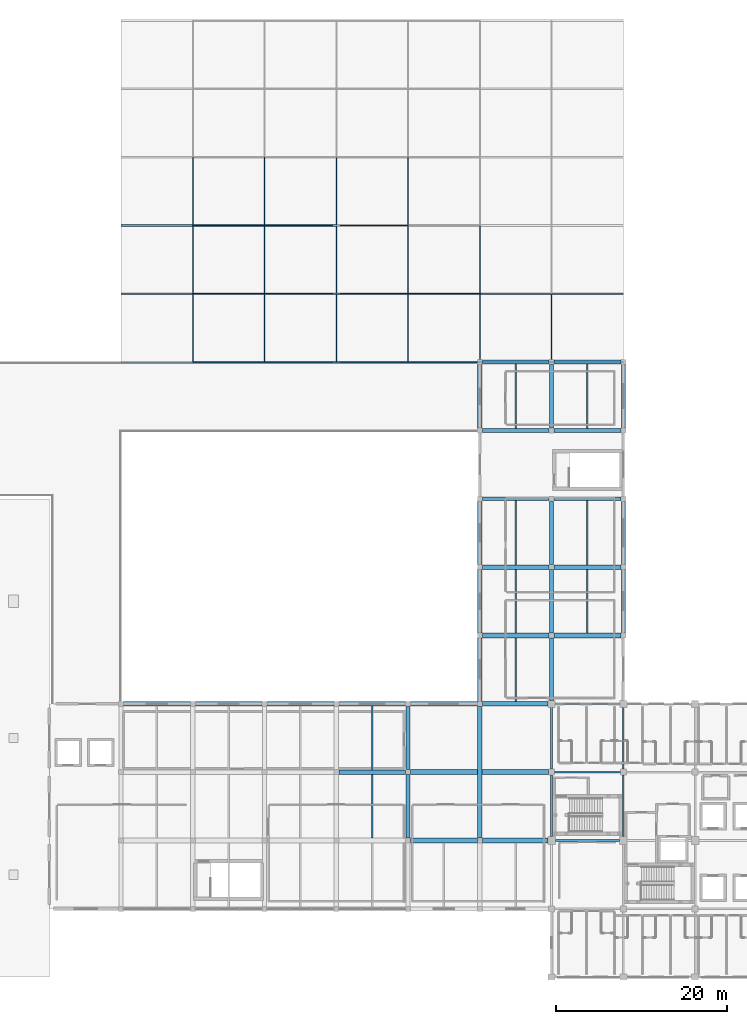
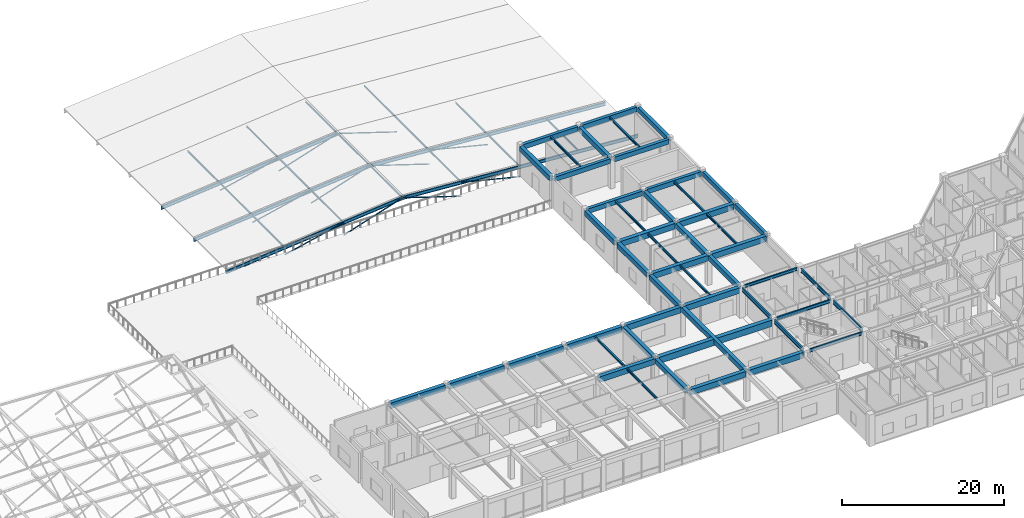
# One storey, part 12 of 37: 50 beams, 31 members.
"""IFC4 building model written with IfcOpenShell, lengths in metres."""

from ifc_helpers import new_model, si_unit, direction, frame, origin, origin_2d, place, context, subcontext, project, spatial, rectangle, hollow_circle, i_section, extrude, material, material_profile, profile_set, type_object, element, save


model = new_model("IFC4")

# Units and contexts
model_context = context("Model", 3, precision=1e-05, world=origin(), true_north=direction((0.0, 1.0)))
body_context = subcontext(model_context, "Body", "Model", "MODEL_VIEW")
ifc_project = project(units=[si_unit("LENGTHUNIT", "METRE"), si_unit("AREAUNIT", "SQUARE_METRE"), si_unit("VOLUMEUNIT", "CUBIC_METRE"), si_unit("PLANEANGLEUNIT", "RADIAN"), si_unit("MASSUNIT", "GRAM", prefix="KILO")], contexts=[model_context])

# Site, building, storey
site_placement = place(None, origin())
site = spatial("IfcSite", under=ifc_project, at=site_placement, CompositionType="ELEMENT")
building_placement = place(site_placement, origin())
building = spatial("IfcBuilding", under=site, at=building_placement, Name="Naruveol Harbour Congress Hotel", CompositionType="ELEMENT")
storey_placement = place(building_placement, frame((0.0, 0.0, 16.199951171875)))
storey = spatial("IfcBuildingStorey", under=building, at=storey_placement, Name="L03", CompositionType="ELEMENT", Elevation=16.199951171875)

# Beams
ifc_material_1 = material(Name="Concrete C40/50", Category="concrete")
ifc_material_profile_1 = material_profile(ifc_material_1, rectangle(XDim=0.5, YDim=0.75, at=origin_2d()), Name="RCB-500x750")
ifc_profile_set_1 = profile_set([ifc_material_profile_1], Name="Concrete C40/50")
beam_type_1 = type_object("IfcBeamType", Name="RC FLOOR GIRDER 500X750", PredefinedType="BEAM", material=ifc_profile_set_1)
for number, where, z_axis, x_axis, name in (
    (1, (100.800048828125, 16.2958984375, 4.1650390625), (0.0, 1.0, 0.0), (-1.0, 0.0, 0.0), "Transverse girder L04 CB3"),
    (2, (100.800048828125, 24.2958984375, 4.1650390625), (0.0, 1.0, 0.0), (-1.0, 0.0, 0.0), "Transverse girder L04 CB3"),
):
    element("IfcBeam", number, at=place(storey_placement, frame(where, z_axis=z_axis, x_axis=x_axis)), inside=storey, type_object=beam_type_1, Name=name, PredefinedType="BEAM", context=body_context, shape_type="SweptSolid", body=[
        extrude(rectangle(XDim=0.5, YDim=0.75, at=origin_2d()), origin(), (0.0, 0.0, 1.0), 7.408203125),
    ])
beam_1_placement = place(storey_placement, frame((109.199951171875, 16.2958984375, 4.1650390625), z_axis=(0.0, 1.0, 0.0), x_axis=(-1.0, 0.0, 0.0)))
element("IfcBeam", 3, at=beam_1_placement, inside=storey, type_object=beam_type_1, Name="Transverse girder L04 CB3", PredefinedType="BEAM", context=body_context, shape_type="SweptSolid", body=[
    extrude(rectangle(XDim=0.5, YDim=0.75, at=origin_2d()), origin(), (0.0, 0.0, 1.0), 15.408203125),
])
for number, where, z_axis, x_axis, name in (
    (4, (109.199951171875, 32.2958984375, 4.1650390625), (0.0, 1.0, 0.0), (-1.0, 0.0, 0.0), "Transverse girder L04 CB3"),
    (5, (109.199951171875, 40.2958984375, 4.1650390625), (0.0, 1.0, 0.0), (-1.0, 0.0, 0.0), "Transverse girder L04 CB3"),
    (6, (109.199951171875, 48.2958984375, 4.1650390625), (0.0, 1.0, 0.0), (-1.0, 0.0, 0.0), "Transverse girder L04 CB3"),
    (7, (109.199951171875, 64.2958984375, 4.1650390625), (0.0, 1.0, 0.0), (-1.0, 0.0, 0.0), "Transverse girder L04 CB3"),
):
    element("IfcBeam", number, at=place(storey_placement, frame(where, z_axis=z_axis, x_axis=x_axis)), inside=storey, type_object=beam_type_1, Name=name, PredefinedType="BEAM", context=body_context, shape_type="SweptSolid", body=[
        extrude(rectangle(XDim=0.5, YDim=0.75, at=origin_2d()), origin(), (0.0, 0.0, 1.0), 7.408203125),
    ])
beam_2_placement = place(storey_placement, frame((117.60009765625, 32.39599609375, 4.1650390625), z_axis=(0.0, 1.0, 0.0), x_axis=(-1.0, 0.0, 0.0)))
element("IfcBeam", 8, at=beam_2_placement, inside=storey, type_object=beam_type_1, Name="Transverse girder L04 CB3", PredefinedType="BEAM", context=body_context, shape_type="SweptSolid", body=[
    extrude(rectangle(XDim=0.5, YDim=0.75, at=origin_2d()), origin(), (0.0, 0.0, 1.0), 7.30810546875),
])
for number, where, z_axis, x_axis, name in (
    (9, (117.60009765625, 40.2958984375, 4.1650390625), (0.0, 1.0, 0.0), (-1.0, 0.0, 0.0), "Transverse girder L04 CB3"),
    (10, (117.60009765625, 48.2958984375, 4.1650390625), (0.0, 1.0, 0.0), (-1.0, 0.0, 0.0), "Transverse girder L04 CB3"),
    (11, (117.60009765625, 64.2958984375, 4.1650390625), (0.0, 1.0, 0.0), (-1.0, 0.0, 0.0), "Transverse girder L04 CB3"),
):
    element("IfcBeam", number, at=place(storey_placement, frame(where, z_axis=z_axis, x_axis=x_axis)), inside=storey, type_object=beam_type_1, Name=name, PredefinedType="BEAM", context=body_context, shape_type="SweptSolid", body=[
        extrude(rectangle(XDim=0.5, YDim=0.75, at=origin_2d()), origin(), (0.0, 0.0, 1.0), 7.408203125),
    ])
ifc_material_2 = material(Name="Concrete C40/50", Category="concrete")
ifc_material_profile_2 = material_profile(ifc_material_2, rectangle(XDim=0.60009765625, YDim=0.949951171875, at=origin_2d()), Name="RCB-600x950")
ifc_profile_set_2 = profile_set([ifc_material_profile_2], Name="Concrete C40/50")
beam_type_2 = type_object("IfcBeamType", Name="RC LONG SPAN GIRDER 600X950", PredefinedType="BEAM", material=ifc_profile_set_2)
beam_3_placement = place(storey_placement, frame((101.095947265625, 24.0, 4.06494140625), z_axis=(1.0, 0.0, 0.0), x_axis=(0.0, 1.0, 0.0)))
element("IfcBeam", 12, at=beam_3_placement, inside=storey, type_object=beam_type_2, Name="Floor girder L04 CB1", PredefinedType="BEAM", context=body_context, shape_type="SweptSolid", body=[
    extrude(rectangle(XDim=0.60009765625, YDim=0.949951171875, at=origin_2d()), origin(), (0.0, 0.0, 1.0), 16.157958984375),
])
ifc_material_3 = material(Name="Concrete C40/50", Category="concrete")
ifc_material_profile_3 = material_profile(ifc_material_3, rectangle(XDim=0.550048828125, YDim=0.85009765625, at=origin_2d()), Name="RCB-550x850")
ifc_profile_set_3 = profile_set([ifc_material_profile_3], Name="Concrete C40/50")
beam_type_3 = type_object("IfcBeamType", Name="RC PRIMARY GIRDER 550X850", PredefinedType="BEAM", material=ifc_profile_set_3)
beam_4_placement = place(storey_placement, frame((101.095947265625, 16.0, 4.114990234375), z_axis=(1.0, 0.0, 0.0), x_axis=(0.0, 1.0, 0.0)))
element("IfcBeam", 13, at=beam_4_placement, inside=storey, type_object=beam_type_3, Name="Floor girder L04 CB2", PredefinedType="BEAM", context=body_context, shape_type="SweptSolid", body=[
    extrude(rectangle(XDim=0.550048828125, YDim=0.85009765625, at=origin_2d()), origin(), (0.0, 0.0, 1.0), 7.80810546875),
])
beam_5_placement = place(storey_placement, frame((109.49609375, 16.0, 4.114990234375), z_axis=(1.0, 0.0, 0.0), x_axis=(0.0, 1.0, 0.0)))
element("IfcBeam", 14, at=beam_5_placement, inside=storey, type_object=beam_type_3, Name="Floor girder L04 CB2", PredefinedType="BEAM", context=body_context, shape_type="SweptSolid", body=[
    extrude(rectangle(XDim=0.550048828125, YDim=0.85009765625, at=origin_2d()), origin(), (0.0, 0.0, 1.0), 7.657958984375),
])
for number, where, z_axis, x_axis, name in (
    (15, (92.696044921875, 24.0, 4.114990234375), (1.0, 0.0, 0.0), (0.0, 1.0, 0.0), "Floor girder L04 CB2"),
    (16, (67.49609375, 32.0, 4.114990234375), (1.0, 0.0, 0.0), (0.0, 1.0, 0.0), "Floor girder L04 CB2"),
):
    element("IfcBeam", number, at=place(storey_placement, frame(where, z_axis=z_axis, x_axis=x_axis)), inside=storey, type_object=beam_type_3, Name=name, PredefinedType="BEAM", context=body_context, shape_type="SweptSolid", body=[
        extrude(rectangle(XDim=0.550048828125, YDim=0.85009765625, at=origin_2d()), origin(), (0.0, 0.0, 1.0), 7.807861328125),
    ])
for number, where, z_axis, x_axis, name in (
    (17, (75.89599609375, 32.0, 4.114990234375), (1.0, 0.0, 0.0), (0.0, 1.0, 0.0), "Floor girder L04 CB2"),
    (18, (84.2958984375, 32.0, 4.114990234375), (1.0, 0.0, 0.0), (0.0, 1.0, 0.0), "Floor girder L04 CB2"),
):
    element("IfcBeam", number, at=place(storey_placement, frame(where, z_axis=z_axis, x_axis=x_axis)), inside=storey, type_object=beam_type_3, Name=name, PredefinedType="BEAM", context=body_context, shape_type="SweptSolid", body=[
        extrude(rectangle(XDim=0.550048828125, YDim=0.85009765625, at=origin_2d()), origin(), (0.0, 0.0, 1.0), 7.80810546875),
    ])
beam_6_placement = place(storey_placement, frame((92.696044921875, 32.0, 4.114990234375), z_axis=(1.0, 0.0, 0.0), x_axis=(0.0, 1.0, 0.0)))
element("IfcBeam", 19, at=beam_6_placement, inside=storey, type_object=beam_type_3, Name="Floor girder L04 CB2", PredefinedType="BEAM", context=body_context, shape_type="SweptSolid", body=[
    extrude(rectangle(XDim=0.550048828125, YDim=0.85009765625, at=origin_2d()), origin(), (0.0, 0.0, 1.0), 7.807861328125),
])
beam_7_placement = place(storey_placement, frame((101.095947265625, 32.0, 4.114990234375), z_axis=(1.0, 0.0, 0.0), x_axis=(0.0, 1.0, 0.0)))
element("IfcBeam", 20, at=beam_7_placement, inside=storey, type_object=beam_type_3, Name="Floor girder L04 CB2", PredefinedType="BEAM", context=body_context, shape_type="SweptSolid", body=[
    extrude(rectangle(XDim=0.550048828125, YDim=0.85009765625, at=origin_2d()), origin(), (0.0, 0.0, 1.0), 7.80810546875),
])
beam_8_placement = place(storey_placement, frame((109.49609375, 32.0, 4.114990234375), z_axis=(1.0, 0.0, 0.0), x_axis=(0.0, 1.0, 0.0)))
element("IfcBeam", 21, at=beam_8_placement, inside=storey, type_object=beam_type_3, Name="Floor girder L04 CB2", PredefinedType="BEAM", context=body_context, shape_type="SweptSolid", body=[
    extrude(rectangle(XDim=0.550048828125, YDim=0.85009765625, at=origin_2d()), origin(), (0.0, 0.0, 1.0), 7.7080078125),
])
beam_9_placement = place(storey_placement, frame((109.49609375, 40.0, 4.114990234375), z_axis=(1.0, 0.0, 0.0), x_axis=(0.0, 1.0, 0.0)))
element("IfcBeam", 22, at=beam_9_placement, inside=storey, type_object=beam_type_3, Name="Floor girder L04 CB2", PredefinedType="BEAM", context=body_context, shape_type="SweptSolid", body=[
    extrude(rectangle(XDim=0.550048828125, YDim=0.85009765625, at=origin_2d()), origin(), (0.0, 0.0, 1.0), 7.807861328125),
])
beam_10_placement = place(storey_placement, frame((117.89599609375, 40.0, 4.114990234375), z_axis=(1.0, 0.0, 0.0), x_axis=(0.0, 1.0, 0.0)))
element("IfcBeam", 23, at=beam_10_placement, inside=storey, type_object=beam_type_3, Name="Floor girder L04 CB2", PredefinedType="BEAM", context=body_context, shape_type="SweptSolid", body=[
    extrude(rectangle(XDim=0.550048828125, YDim=0.85009765625, at=origin_2d()), origin(), (0.0, 0.0, 1.0), 7.80810546875),
])
beam_11_placement = place(storey_placement, frame((109.49609375, 48.0, 4.114990234375), z_axis=(1.0, 0.0, 0.0), x_axis=(0.0, 1.0, 0.0)))
element("IfcBeam", 24, at=beam_11_placement, inside=storey, type_object=beam_type_3, Name="Floor girder L04 CB2", PredefinedType="BEAM", context=body_context, shape_type="SweptSolid", body=[
    extrude(rectangle(XDim=0.550048828125, YDim=0.85009765625, at=origin_2d()), origin(), (0.0, 0.0, 1.0), 7.807861328125),
])
beam_12_placement = place(storey_placement, frame((117.89599609375, 48.0, 4.114990234375), z_axis=(1.0, 0.0, 0.0), x_axis=(0.0, 1.0, 0.0)))
element("IfcBeam", 25, at=beam_12_placement, inside=storey, type_object=beam_type_3, Name="Floor girder L04 CB2", PredefinedType="BEAM", context=body_context, shape_type="SweptSolid", body=[
    extrude(rectangle(XDim=0.550048828125, YDim=0.85009765625, at=origin_2d()), origin(), (0.0, 0.0, 1.0), 7.80810546875),
])
ifc_material_4 = material(Name="Concrete C40/50", Category="concrete")
ifc_material_profile_4 = material_profile(ifc_material_4, rectangle(XDim=0.449951171875, YDim=0.699951171875, at=origin_2d()), Name="RCB-450x700")
ifc_profile_set_4 = profile_set([ifc_material_profile_4], Name="Concrete C40/50")
beam_type_4 = type_object("IfcBeamType", Name="RC SPANDREL BEAM 450X700", PredefinedType="SPANDREL", material=ifc_profile_set_4)
beam_13_placement = place(storey_placement, frame((109.49609375, 56.0, 4.18994140625), z_axis=(1.0, 0.0, 0.0), x_axis=(0.0, 1.0, 0.0)))
element("IfcBeam", 26, at=beam_13_placement, inside=storey, type_object=beam_type_4, Name="Floor girder L04 SPB1", PredefinedType="SPANDREL", context=body_context, shape_type="SweptSolid", body=[
    extrude(rectangle(XDim=0.449951171875, YDim=0.699951171875, at=origin_2d()), origin(), (0.0, 0.0, 1.0), 7.807861328125),
])
beam_14_placement = place(storey_placement, frame((117.89599609375, 56.0, 4.18994140625), z_axis=(1.0, 0.0, 0.0), x_axis=(0.0, 1.0, 0.0)))
element("IfcBeam", 27, at=beam_14_placement, inside=storey, type_object=beam_type_4, Name="Floor girder L04 SPB1", PredefinedType="SPANDREL", context=body_context, shape_type="SweptSolid", body=[
    extrude(rectangle(XDim=0.449951171875, YDim=0.699951171875, at=origin_2d()), origin(), (0.0, 0.0, 1.0), 7.80810546875),
])
beam_15_placement = place(storey_placement, frame((109.49609375, 64.0, 4.18994140625), z_axis=(1.0, 0.0, 0.0), x_axis=(0.0, 1.0, 0.0)))
element("IfcBeam", 28, at=beam_15_placement, inside=storey, type_object=beam_type_4, Name="Floor girder L04 SPB1", PredefinedType="SPANDREL", context=body_context, shape_type="SweptSolid", body=[
    extrude(rectangle(XDim=0.449951171875, YDim=0.699951171875, at=origin_2d()), origin(), (0.0, 0.0, 1.0), 7.807861328125),
])
beam_16_placement = place(storey_placement, frame((117.89599609375, 64.0, 4.18994140625), z_axis=(1.0, 0.0, 0.0), x_axis=(0.0, 1.0, 0.0)))
element("IfcBeam", 29, at=beam_16_placement, inside=storey, type_object=beam_type_4, Name="Floor girder L04 SPB1", PredefinedType="SPANDREL", context=body_context, shape_type="SweptSolid", body=[
    extrude(rectangle(XDim=0.449951171875, YDim=0.699951171875, at=origin_2d()), origin(), (0.0, 0.0, 1.0), 7.80810546875),
])
beam_17_placement = place(storey_placement, frame((109.49609375, 72.0, 4.18994140625), z_axis=(1.0, 0.0, 0.0), x_axis=(0.0, 1.0, 0.0)))
element("IfcBeam", 30, at=beam_17_placement, inside=storey, type_object=beam_type_4, Name="Floor girder L04 SPB1", PredefinedType="SPANDREL", context=body_context, shape_type="SweptSolid", body=[
    extrude(rectangle(XDim=0.449951171875, YDim=0.699951171875, at=origin_2d()), origin(), (0.0, 0.0, 1.0), 7.807861328125),
])
beam_18_placement = place(storey_placement, frame((117.89599609375, 72.0, 4.18994140625), z_axis=(1.0, 0.0, 0.0), x_axis=(0.0, 1.0, 0.0)))
element("IfcBeam", 31, at=beam_18_placement, inside=storey, type_object=beam_type_4, Name="Floor girder L04 SPB1", PredefinedType="SPANDREL", context=body_context, shape_type="SweptSolid", body=[
    extrude(rectangle(XDim=0.449951171875, YDim=0.699951171875, at=origin_2d()), origin(), (0.0, 0.0, 1.0), 7.80810546875),
])
for number, where, z_axis, x_axis, name in (
    (32, (126.0, 40.2958984375, 4.18994140625), (0.0, 1.0, 0.0), (-1.0, 0.0, 0.0), "Transverse girder L04 SPB1"),
    (33, (126.0, 48.2958984375, 4.18994140625), (0.0, 1.0, 0.0), (-1.0, 0.0, 0.0), "Transverse girder L04 SPB1"),
    (34, (126.0, 64.2958984375, 4.18994140625), (0.0, 1.0, 0.0), (-1.0, 0.0, 0.0), "Transverse girder L04 SPB1"),
):
    element("IfcBeam", number, at=place(storey_placement, frame(where, z_axis=z_axis, x_axis=x_axis)), inside=storey, type_object=beam_type_4, Name=name, PredefinedType="SPANDREL", context=body_context, shape_type="SweptSolid", body=[
        extrude(rectangle(XDim=0.449951171875, YDim=0.699951171875, at=origin_2d()), origin(), (0.0, 0.0, 1.0), 7.408203125),
    ])
ifc_material_5 = material(Name="Steel SN490", Category="steel")
ifc_material_profile_5 = material_profile(ifc_material_5, i_section(OverallWidth=0.199951171875, OverallDepth=0.5, WebThickness=0.010009765625, FlangeThickness=0.01611328125, at=origin_2d()), Name="H-500x200x10x16")
ifc_profile_set_5 = profile_set([ifc_material_profile_5], Name="Steel SN490")
beam_type_5 = type_object("IfcBeamType", Name="STEEL FLOOR GIRDER H500", PredefinedType="BEAM", material=ifc_profile_set_5)
beam_19_placement = place(storey_placement, frame((118.0458984375, 16.0, 4.2900390625), z_axis=(1.0, 0.0, 0.0), x_axis=(0.0, 1.0, 0.0)))
element("IfcBeam", 35, at=beam_19_placement, inside=storey, type_object=beam_type_5, Name="Hotel chord beam L04 SB2", PredefinedType="BEAM", context=body_context, shape_type="SweptSolid", body=[
    extrude(i_section(OverallWidth=0.199951171875, OverallDepth=0.5, WebThickness=0.010009765625, FlangeThickness=0.01611328125, at=origin_2d()), origin(), (0.0, 0.0, 1.0), 7.508056640625),
])
beam_20_placement = place(storey_placement, frame((117.946044921875, 24.0, 4.2900390625), z_axis=(1.0, 0.0, 0.0), x_axis=(0.0, 1.0, 0.0)))
element("IfcBeam", 36, at=beam_20_placement, inside=storey, type_object=beam_type_5, Name="Hotel chord beam L04 SB2", PredefinedType="BEAM", context=body_context, shape_type="SweptSolid", body=[
    extrude(i_section(OverallWidth=0.199951171875, OverallDepth=0.5, WebThickness=0.010009765625, FlangeThickness=0.01611328125, at=origin_2d()), origin(), (0.0, 0.0, 1.0), 7.7080078125),
])

# Members
ifc_material_6 = material(Name="Steel SN490", Category="steel")
ifc_material_profile_6 = material_profile(ifc_material_6, i_section(OverallWidth=0.199951171875, OverallDepth=0.5, WebThickness=0.010009765625, FlangeThickness=0.01611328125, at=origin_2d()), Name="H-500x200x10x16")
ifc_profile_set_6 = profile_set([ifc_material_profile_6], Name="Steel SN490")
member_type_1 = type_object("IfcMemberType", Name="STEEL GABLE TRUSS RAFTER H500", PredefinedType="RAFTER", material=ifc_profile_set_6)
member_1_placement = place(storey_placement, frame((67.199951171875, 72.0, 0.0), z_axis=(0.995494909078, 0.0, 0.09481500936), x_axis=(0.0, 1.0, 0.0)))
element("IfcMember", 37, at=member_1_placement, inside=storey, type_object=member_type_1, Name="Ballroom gable rafter west #1", PredefinedType="RAFTER", context=body_context, shape_type="SweptSolid", body=[
    extrude(i_section(OverallWidth=0.199951171875, OverallDepth=0.5, WebThickness=0.010009765625, FlangeThickness=0.01611328125, at=origin_2d()), origin(), (0.0, 0.0, 1.0), 25.31396484375),
])
member_2_placement = place(storey_placement, frame((92.39990234375, 72.0, 2.400146484375), z_axis=(0.997458405503, 0.0, -0.071251170451), x_axis=(0.0, 1.0, 0.0)))
element("IfcMember", 38, at=member_2_placement, inside=storey, type_object=member_type_1, Name="Ballroom gable rafter east #1", PredefinedType="RAFTER", context=body_context, shape_type="SweptSolid", body=[
    extrude(i_section(OverallWidth=0.199951171875, OverallDepth=0.5, WebThickness=0.010009765625, FlangeThickness=0.01611328125, at=origin_2d()), origin(), (0.0, 0.0, 1.0), 33.685791015625),
])
member_3_placement = place(storey_placement, frame((67.199951171875, 80.0, 0.0), z_axis=(0.995494909078, 0.0, 0.09481500936), x_axis=(0.0, 1.0, 0.0)))
element("IfcMember", 39, at=member_3_placement, inside=storey, type_object=member_type_1, Name="Ballroom gable rafter west #2", PredefinedType="RAFTER", context=body_context, shape_type="SweptSolid", body=[
    extrude(i_section(OverallWidth=0.199951171875, OverallDepth=0.5, WebThickness=0.010009765625, FlangeThickness=0.01611328125, at=origin_2d()), origin(), (0.0, 0.0, 1.0), 25.31396484375),
])
member_4_placement = place(storey_placement, frame((92.39990234375, 80.0, 2.400146484375), z_axis=(0.997458405503, 0.0, -0.071251170451), x_axis=(0.0, 1.0, 0.0)))
element("IfcMember", 40, at=member_4_placement, inside=storey, type_object=member_type_1, Name="Ballroom gable rafter east #2", PredefinedType="RAFTER", context=body_context, shape_type="SweptSolid", body=[
    extrude(i_section(OverallWidth=0.199951171875, OverallDepth=0.5, WebThickness=0.010009765625, FlangeThickness=0.01611328125, at=origin_2d()), origin(), (0.0, 0.0, 1.0), 33.685791015625),
])
member_5_placement = place(storey_placement, frame((67.199951171875, 88.0, 0.0), z_axis=(0.995494909078, 0.0, 0.09481500936), x_axis=(0.0, 1.0, 0.0)))
element("IfcMember", 41, at=member_5_placement, inside=storey, type_object=member_type_1, Name="Ballroom gable rafter west #3", PredefinedType="RAFTER", context=body_context, shape_type="SweptSolid", body=[
    extrude(i_section(OverallWidth=0.199951171875, OverallDepth=0.5, WebThickness=0.010009765625, FlangeThickness=0.01611328125, at=origin_2d()), origin(), (0.0, 0.0, 1.0), 25.31396484375),
])
ifc_material_7 = material(Name="Steel SN490", Category="steel")
ifc_material_profile_7 = material_profile(ifc_material_7, hollow_circle(Radius=0.084228515625, WallThickness=0.008056640625, at=origin_2d()), Name="CHS-168.3x8")
ifc_profile_set_7 = profile_set([ifc_material_profile_7], Name="Steel SN490")
member_type_2 = type_object("IfcMemberType", Name="STEEL GABLE TRUSS WEB BRACE CHS168", PredefinedType="BRACE", material=ifc_profile_set_7)
member_6_placement = place(storey_placement, frame((75.60009765625, 72.0, -0.300048828125), z_axis=(0.975356249556, 0.0, 0.220635868462), x_axis=(0.0, 1.0, 0.0)))
element("IfcMember", 42, at=member_6_placement, inside=storey, type_object=member_type_2, Name="Ballroom gable truss web #1.1", PredefinedType="BRACE", context=body_context, shape_type="SweptSolid", body=[
    extrude(hollow_circle(Radius=0.084228515625, WallThickness=0.008056640625, at=origin_2d()), origin(), (0.0, 0.0, 1.0), 8.612060546875),
])
member_7_placement = place(storey_placement, frame((84.0, 72.0, -0.300048828125), z_axis=(0.95202107565, 0.0, 0.306032468078), x_axis=(0.0, 1.0, 0.0)))
element("IfcMember", 43, at=member_7_placement, inside=storey, type_object=member_type_2, Name="Ballroom gable truss web #1.2", PredefinedType="BRACE", context=body_context, shape_type="SweptSolid", body=[
    extrude(hollow_circle(Radius=0.084228515625, WallThickness=0.008056640625, at=origin_2d()), origin(), (0.0, 0.0, 1.0), 8.8232421875),
])
member_8_placement = place(storey_placement, frame((109.199951171875, 72.0, -0.300048828125), z_axis=(-0.970139182784, 0.0, 0.242548894097), x_axis=(0.0, -1.0, 0.0)))
element("IfcMember", 44, at=member_8_placement, inside=storey, type_object=member_type_2, Name="Ballroom gable truss web #1.3", PredefinedType="BRACE", context=body_context, shape_type="SweptSolid", body=[
    extrude(hollow_circle(Radius=0.084228515625, WallThickness=0.008056640625, at=origin_2d()), origin(), (0.0, 0.0, 1.0), 8.658447265625),
])
member_9_placement = place(storey_placement, frame((100.800048828125, 72.0, -0.300048828125), z_axis=(-0.952023667025, 0.0, 0.306024406583), x_axis=(0.0, -1.0, 0.0)))
element("IfcMember", 45, at=member_9_placement, inside=storey, type_object=member_type_2, Name="Ballroom gable truss web #1.4", PredefinedType="BRACE", context=body_context, shape_type="SweptSolid", body=[
    extrude(hollow_circle(Radius=0.084228515625, WallThickness=0.008056640625, at=origin_2d()), origin(), (0.0, 0.0, 1.0), 8.823486328125),
])
member_10_placement = place(storey_placement, frame((75.60009765625, 80.0, -0.300048828125), z_axis=(0.975356249556, 0.0, 0.220635868462), x_axis=(0.0, 1.0, 0.0)))
element("IfcMember", 46, at=member_10_placement, inside=storey, type_object=member_type_2, Name="Ballroom gable truss web #2.1", PredefinedType="BRACE", context=body_context, shape_type="SweptSolid", body=[
    extrude(hollow_circle(Radius=0.084228515625, WallThickness=0.008056640625, at=origin_2d()), origin(), (0.0, 0.0, 1.0), 8.612060546875),
])
member_11_placement = place(storey_placement, frame((84.0, 80.0, -0.300048828125), z_axis=(0.95202107565, 0.0, 0.306032468078), x_axis=(0.0, 1.0, 0.0)))
element("IfcMember", 47, at=member_11_placement, inside=storey, type_object=member_type_2, Name="Ballroom gable truss web #2.2", PredefinedType="BRACE", context=body_context, shape_type="SweptSolid", body=[
    extrude(hollow_circle(Radius=0.084228515625, WallThickness=0.008056640625, at=origin_2d()), origin(), (0.0, 0.0, 1.0), 8.8232421875),
])
member_12_placement = place(storey_placement, frame((109.199951171875, 80.0, -0.300048828125), z_axis=(-0.970139182784, 0.0, 0.242548894097), x_axis=(0.0, -1.0, 0.0)))
element("IfcMember", 48, at=member_12_placement, inside=storey, type_object=member_type_2, Name="Ballroom gable truss web #2.3", PredefinedType="BRACE", context=body_context, shape_type="SweptSolid", body=[
    extrude(hollow_circle(Radius=0.084228515625, WallThickness=0.008056640625, at=origin_2d()), origin(), (0.0, 0.0, 1.0), 8.658447265625),
])
member_13_placement = place(storey_placement, frame((100.800048828125, 80.0, -0.300048828125), z_axis=(-0.952023667025, 0.0, 0.306024406583), x_axis=(0.0, -1.0, 0.0)))
element("IfcMember", 49, at=member_13_placement, inside=storey, type_object=member_type_2, Name="Ballroom gable truss web #2.4", PredefinedType="BRACE", context=body_context, shape_type="SweptSolid", body=[
    extrude(hollow_circle(Radius=0.084228515625, WallThickness=0.008056640625, at=origin_2d()), origin(), (0.0, 0.0, 1.0), 8.823486328125),
])
member_14_placement = place(storey_placement, frame((75.60009765625, 88.0, -0.300048828125), z_axis=(0.975356249556, 0.0, 0.220635868462), x_axis=(0.0, 1.0, 0.0)))
element("IfcMember", 50, at=member_14_placement, inside=storey, type_object=member_type_2, Name="Ballroom gable truss web #3.1", PredefinedType="BRACE", context=body_context, shape_type="SweptSolid", body=[
    extrude(hollow_circle(Radius=0.084228515625, WallThickness=0.008056640625, at=origin_2d()), origin(), (0.0, 0.0, 1.0), 8.612060546875),
])
member_15_placement = place(storey_placement, frame((84.0, 88.0, -0.300048828125), z_axis=(0.95202107565, 0.0, 0.306032468078), x_axis=(0.0, 1.0, 0.0)))
element("IfcMember", 51, at=member_15_placement, inside=storey, type_object=member_type_2, Name="Ballroom gable truss web #3.2", PredefinedType="BRACE", context=body_context, shape_type="SweptSolid", body=[
    extrude(hollow_circle(Radius=0.084228515625, WallThickness=0.008056640625, at=origin_2d()), origin(), (0.0, 0.0, 1.0), 8.8232421875),
])
member_16_placement = place(storey_placement, frame((100.800048828125, 88.0, -0.300048828125), z_axis=(-0.952023667025, 0.0, 0.306024406583), x_axis=(0.0, -1.0, 0.0)))
element("IfcMember", 52, at=member_16_placement, inside=storey, type_object=member_type_2, Name="Ballroom gable truss web #3.4", PredefinedType="BRACE", context=body_context, shape_type="SweptSolid", body=[
    extrude(hollow_circle(Radius=0.084228515625, WallThickness=0.008056640625, at=origin_2d()), origin(), (0.0, 0.0, 1.0), 8.823486328125),
])

# Beams
ifc_material_8 = material(Name="Steel SN490", Category="steel")
ifc_material_profile_8 = material_profile(ifc_material_8, i_section(OverallWidth=0.199951171875, OverallDepth=0.60009765625, WebThickness=0.010986328125, FlangeThickness=0.01708984375, at=origin_2d()), Name="H-600x200x11x17")
ifc_profile_set_8 = profile_set([ifc_material_profile_8], Name="Steel SN490")
beam_type_6 = type_object("IfcBeamType", Name="STEEL PRIMARY FLOOR BEAM H600", PredefinedType="BEAM", material=ifc_profile_set_8)
beam_21_placement = place(storey_placement, frame((117.60009765625, 16.446044921875, 4.239990234375), z_axis=(0.0, 1.0, 0.0), x_axis=(-1.0, 0.0, 0.0)))
element("IfcBeam", 53, at=beam_21_placement, inside=storey, type_object=beam_type_6, Name="Hotel transverse beam L04 SB1", PredefinedType="BEAM", context=body_context, shape_type="SweptSolid", body=[
    extrude(i_section(OverallWidth=0.199951171875, OverallDepth=0.60009765625, WebThickness=0.010986328125, FlangeThickness=0.01708984375, at=origin_2d()), origin(), (0.0, 0.0, 1.0), 7.2080078125),
])
beam_22_placement = place(storey_placement, frame((117.60009765625, 24.345947265625, 4.239990234375), z_axis=(0.0, 1.0, 0.0), x_axis=(-1.0, 0.0, 0.0)))
element("IfcBeam", 54, at=beam_22_placement, inside=storey, type_object=beam_type_6, Name="Hotel transverse beam L04 SB1", PredefinedType="BEAM", context=body_context, shape_type="SweptSolid", body=[
    extrude(i_section(OverallWidth=0.199951171875, OverallDepth=0.60009765625, WebThickness=0.010986328125, FlangeThickness=0.01708984375, at=origin_2d()), origin(), (0.0, 0.0, 1.0), 7.258056640625),
])
beam_23_placement = place(storey_placement, frame((126.0, 16.446044921875, 4.280029296875), z_axis=(0.0, 1.0, 0.0), x_axis=(-1.0, 0.0, 0.0)))
element("IfcBeam", 55, at=beam_23_placement, inside=storey, type_object=beam_type_6, Name="Hotel transverse beam L04 SB1", PredefinedType="BEAM", context=body_context, shape_type="SweptSolid", body=[
    extrude(i_section(OverallWidth=0.199951171875, OverallDepth=0.60009765625, WebThickness=0.010986328125, FlangeThickness=0.01708984375, at=origin_2d()), origin(), (0.0, 0.0, 1.0), 7.2080078125),
])
beam_24_placement = place(storey_placement, frame((126.0, 24.345947265625, 4.239990234375), z_axis=(0.0, 1.0, 0.0), x_axis=(-1.0, 0.0, 0.0)))
element("IfcBeam", 56, at=beam_24_placement, inside=storey, type_object=beam_type_6, Name="Hotel transverse beam L04 SB1", PredefinedType="BEAM", context=body_context, shape_type="SweptSolid", body=[
    extrude(i_section(OverallWidth=0.199951171875, OverallDepth=0.60009765625, WebThickness=0.010986328125, FlangeThickness=0.01708984375, at=origin_2d()), origin(), (0.0, 0.0, 1.0), 7.258056640625),
])

# Members
ifc_material_9 = material(Name="Steel SN490", Category="steel")
ifc_material_profile_9 = material_profile(ifc_material_9, i_section(OverallWidth=0.125, OverallDepth=0.25, WebThickness=0.006103515625, FlangeThickness=0.009033203125, at=origin_2d()), Name="H-250x125x6x9")
ifc_profile_set_9 = profile_set([ifc_material_profile_9], Name="Steel SN490")
member_type_3 = type_object("IfcMemberType", Name="STEEL ROOF PURLIN MEMBER H250", PredefinedType="PURLIN", material=ifc_profile_set_9)
for number, where, z_axis, x_axis, name in (
    (57, (75.60009765625, 72.0, 0.800048828125), (0.0, 1.0, 0.0), (-1.0, 0.0, 0.0), "Ballroom roof purlin X=75.6"),
    (58, (75.60009765625, 80.0, 0.800048828125), (0.0, 1.0, 0.0), (-1.0, 0.0, 0.0), "Ballroom roof purlin X=75.6"),
    (59, (75.60009765625, 88.0, 0.800048828125), (0.0, 1.0, 0.0), (-1.0, 0.0, 0.0), "Ballroom roof purlin X=75.6"),
    (60, (84.0, 72.0, 1.60009765625), (0.0, 1.0, 0.0), (-1.0, 0.0, 0.0), "Ballroom roof purlin X=84.0"),
    (61, (84.0, 80.0, 1.60009765625), (0.0, 1.0, 0.0), (-1.0, 0.0, 0.0), "Ballroom roof purlin X=84.0"),
    (62, (84.0, 88.0, 1.60009765625), (0.0, 1.0, 0.0), (-1.0, 0.0, 0.0), "Ballroom roof purlin X=84.0"),
    (63, (92.39990234375, 72.0, 2.400146484375), (0.0, 1.0, 0.0), (-1.0, 0.0, 0.0), "Ballroom roof purlin X=92.4"),
    (64, (92.39990234375, 80.0, 2.400146484375), (0.0, 1.0, 0.0), (-1.0, 0.0, 0.0), "Ballroom roof purlin X=92.4"),
    (65, (92.39990234375, 88.0, 2.400146484375), (0.0, 1.0, 0.0), (-1.0, 0.0, 0.0), "Ballroom roof purlin X=92.4"),
    (66, (100.800048828125, 72.0, 1.800048828125), (0.0, 1.0, 0.0), (-1.0, 0.0, 0.0), "Ballroom roof purlin X=100.8"),
    (67, (100.800048828125, 80.0, 1.800048828125), (0.0, 1.0, 0.0), (-1.0, 0.0, 0.0), "Ballroom roof purlin X=100.8"),
    (68, (100.800048828125, 88.0, 1.800048828125), (0.0, 1.0, 0.0), (-1.0, 0.0, 0.0), "Ballroom roof purlin X=100.8"),
    (69, (109.199951171875, 72.0, 1.199951171875), (0.0, 1.0, 0.0), (-1.0, 0.0, 0.0), "Ballroom roof purlin X=109.2"),
    (70, (109.199951171875, 80.0, 1.199951171875), (0.0, 1.0, 0.0), (-1.0, 0.0, 0.0), "Ballroom roof purlin X=109.2"),
    (71, (117.60009765625, 72.0, 0.60009765625), (0.0, 1.0, 0.0), (-1.0, 0.0, 0.0), "Ballroom roof purlin X=117.6"),
):
    element("IfcMember", number, at=place(storey_placement, frame(where, z_axis=z_axis, x_axis=x_axis)), inside=storey, type_object=member_type_3, Name=name, PredefinedType="PURLIN", context=body_context, shape_type="SweptSolid", body=[
        extrude(i_section(OverallWidth=0.125, OverallDepth=0.25, WebThickness=0.006103515625, FlangeThickness=0.009033203125, at=origin_2d()), origin(), (0.0, 0.0, 1.0), 8.0),
    ])

# Beams
ifc_material_10 = material(Name="Steel SN490", Category="steel")
ifc_material_profile_10 = material_profile(ifc_material_10, i_section(OverallWidth=0.175048828125, OverallDepth=0.35009765625, WebThickness=0.007080078125, FlangeThickness=0.010986328125, at=origin_2d()), Name="H-350x175x7x11")
ifc_profile_set_10 = profile_set([ifc_material_profile_10], Name="Steel SN490")
beam_type_7 = type_object("IfcBeamType", Name="STEEL SECONDARY JOIST H350", PredefinedType="JOIST", material=ifc_profile_set_10)
for number, where, z_axis, x_axis, name in (
    (72, (96.60009765625, 16.27099609375, 4.364990234375), (0.0, 1.0, 0.0), (-1.0, 0.0, 0.0), "Secondary floor joist L04 SJ2"),
    (73, (96.60009765625, 24.27099609375, 4.364990234375), (0.0, 1.0, 0.0), (-1.0, 0.0, 0.0), "Secondary floor joist L04 SJ2"),
    (74, (113.39990234375, 32.27099609375, 4.364990234375), (0.0, 1.0, 0.0), (-1.0, 0.0, 0.0), "Secondary floor joist L04 SJ2"),
    (75, (113.39990234375, 40.27099609375, 4.364990234375), (0.0, 1.0, 0.0), (-1.0, 0.0, 0.0), "Secondary floor joist L04 SJ2"),
    (76, (121.800048828125, 40.27099609375, 4.364990234375), (0.0, 1.0, 0.0), (-1.0, 0.0, 0.0), "Secondary floor joist L04 SJ2"),
):
    element("IfcBeam", number, at=place(storey_placement, frame(where, z_axis=z_axis, x_axis=x_axis)), inside=storey, type_object=beam_type_7, Name=name, PredefinedType="JOIST", context=body_context, shape_type="SweptSolid", body=[
        extrude(i_section(OverallWidth=0.175048828125, OverallDepth=0.35009765625, WebThickness=0.007080078125, FlangeThickness=0.010986328125, at=origin_2d()), origin(), (0.0, 0.0, 1.0), 7.4580078125),
    ])
for number, where, z_axis, x_axis, name in (
    (77, (113.39990234375, 48.27099609375, 4.364990234375), (0.0, 1.0, 0.0), (-1.0, 0.0, 0.0), "Secondary floor joist L04 SJ2"),
    (78, (121.800048828125, 48.27099609375, 4.364990234375), (0.0, 1.0, 0.0), (-1.0, 0.0, 0.0), "Secondary floor joist L04 SJ2"),
):
    element("IfcBeam", number, at=place(storey_placement, frame(where, z_axis=z_axis, x_axis=x_axis)), inside=storey, type_object=beam_type_7, Name=name, PredefinedType="JOIST", context=body_context, shape_type="SweptSolid", body=[
        extrude(i_section(OverallWidth=0.175048828125, OverallDepth=0.35009765625, WebThickness=0.007080078125, FlangeThickness=0.010986328125, at=origin_2d()), origin(), (0.0, 0.0, 1.0), 7.508056640625),
    ])
for number, where, z_axis, x_axis, name in (
    (79, (113.39990234375, 64.220947265625, 4.364990234375), (0.0, 1.0, 0.0), (-1.0, 0.0, 0.0), "Secondary floor joist L04 SJ2"),
    (80, (121.800048828125, 64.220947265625, 4.364990234375), (0.0, 1.0, 0.0), (-1.0, 0.0, 0.0), "Secondary floor joist L04 SJ2"),
):
    element("IfcBeam", number, at=place(storey_placement, frame(where, z_axis=z_axis, x_axis=x_axis)), inside=storey, type_object=beam_type_7, Name=name, PredefinedType="JOIST", context=body_context, shape_type="SweptSolid", body=[
        extrude(i_section(OverallWidth=0.175048828125, OverallDepth=0.35009765625, WebThickness=0.007080078125, FlangeThickness=0.010986328125, at=origin_2d()), origin(), (0.0, 0.0, 1.0), 7.55810546875),
    ])
ifc_material_11 = material(Name="Steel SN490", Category="steel")
ifc_material_profile_11 = material_profile(ifc_material_11, i_section(OverallWidth=0.199951171875, OverallDepth=0.449951171875, WebThickness=0.009033203125, FlangeThickness=0.013916015625, at=origin_2d()), Name="H-450x200x9x14")
ifc_profile_set_11 = profile_set([ifc_material_profile_11], Name="Steel SN490")
beam_type_8 = type_object("IfcBeamType", Name="STEEL SPANDREL EDGE BEAM H450", PredefinedType="SPANDREL", material=ifc_profile_set_11)
beam_25_placement = place(storey_placement, frame((117.99609375, 32.0, 4.31494140625), z_axis=(1.0, 0.0, 0.0), x_axis=(0.0, 1.0, 0.0)))
element("IfcBeam", 81, at=beam_25_placement, inside=storey, type_object=beam_type_8, Name="Hotel chord beam L04 SPB2", PredefinedType="SPANDREL", context=body_context, shape_type="SweptSolid", body=[
    extrude(i_section(OverallWidth=0.199951171875, OverallDepth=0.449951171875, WebThickness=0.009033203125, FlangeThickness=0.013916015625, at=origin_2d()), origin(), (0.0, 0.0, 1.0), 7.60791015625),
])

save(model, "model.ifc")
